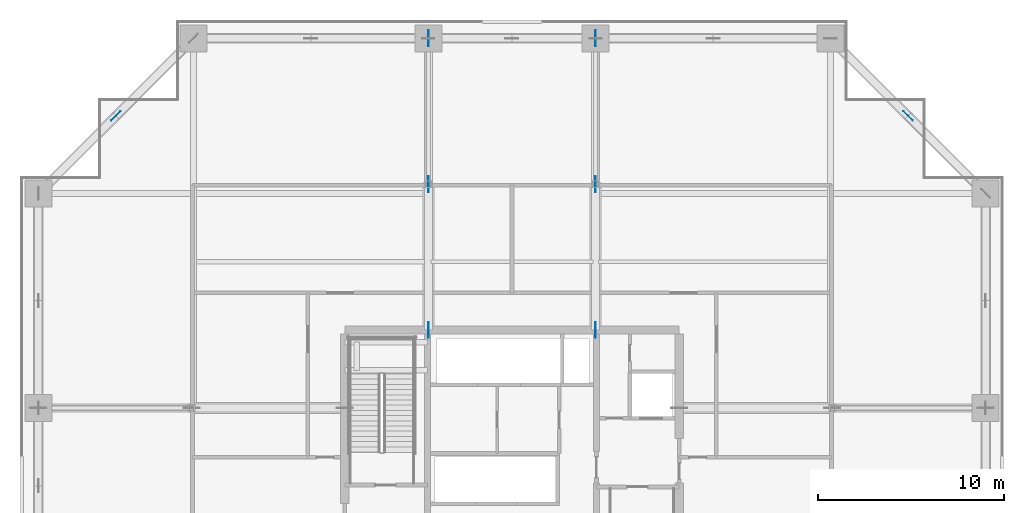
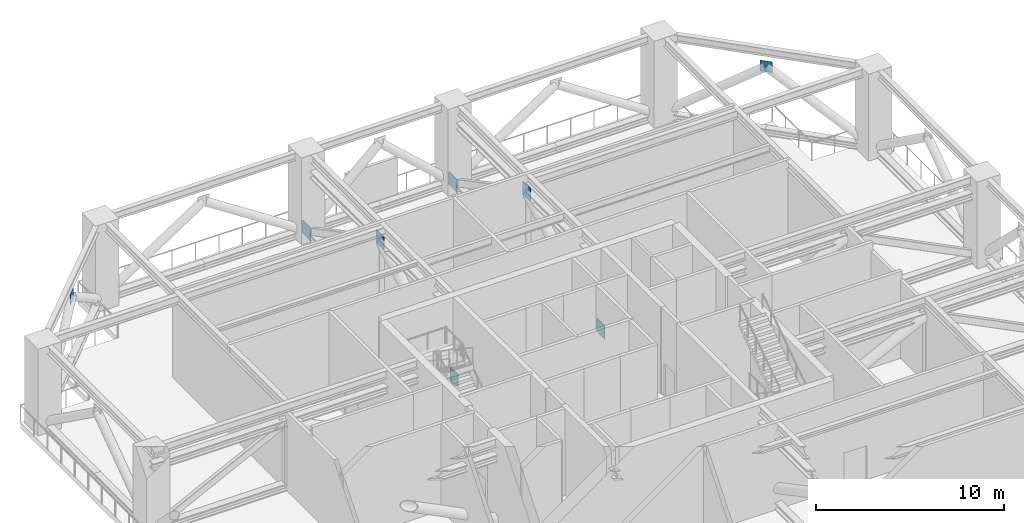
# One storey, part 9 of 21: 8 plates.
"""IFC4 building model written with IfcOpenShell, lengths in metres."""

from ifc_helpers import new_model, si_unit, direction, frame, origin, origin_2d, place, context, subcontext, project, spatial, rectangle, extrude, source, transform, mapped, material, layer, layer_set, type_object, element, save


model = new_model("IFC4")

# Units and contexts
model_context = context("Model", 3, precision=1e-05, world=origin(), true_north=direction((0.0, 1.0)))
body_context = subcontext(model_context, "Body", "Model", "MODEL_VIEW")
ifc_project = project(units=[si_unit("LENGTHUNIT", "METRE"), si_unit("AREAUNIT", "SQUARE_METRE"), si_unit("VOLUMEUNIT", "CUBIC_METRE"), si_unit("PLANEANGLEUNIT", "RADIAN"), si_unit("MASSUNIT", "GRAM", prefix="KILO")], contexts=[model_context])

# Site, building, storey
site_placement = place(None, origin())
site = spatial("IfcSite", under=ifc_project, at=site_placement, CompositionType="ELEMENT")
building_placement = place(site_placement, origin())
building = spatial("IfcBuilding", under=site, at=building_placement, Name="Serunith Strait Residences", CompositionType="ELEMENT")
storey_placement = place(building_placement, frame((0.0, 0.0, 109.199951171875)))
storey = spatial("IfcBuildingStorey", under=building, at=storey_placement, Name="L27", CompositionType="ELEMENT", Elevation=109.199951171875)

# Plates
ifc_material = material(Name="Steel S460M", Category="steel")
ifc_layer_1 = layer(ifc_material, 0.0400390625, Name="Steel S460M")
ifc_layer_set_1 = layer_set([ifc_layer_1], Name="Steel S460M")
plate_type_1 = type_object("IfcPlateType", Name="PLT-GUSSET-40", PredefinedType="USERDEFINED", material=ifc_layer_set_1)
shared_shape_1 = source(origin(), body_context, "Body", "SweptSolid", [
    extrude(rectangle(XDim=0.85009765625, YDim=0.0400390625, at=origin_2d()), origin(), (0.0, 0.0, 1.0), 0.85009765625),
])
for number, where, z_axis, x_axis, name in (
    (1, (27.89990234375, 33.60009765625, -0.175048828125), (0.0, 0.0, 1.0), (0.0, 1.0, 0.0), "L27 Outrigger Gusset Plate ND-01"),
    (2, (27.89990234375, 41.449951171875, 3.965087890625), (0.0, 0.0, 1.0), (0.0, 1.0, 0.0), "L27 Outrigger Gusset Plate ND-01"),
    (3, (27.89990234375, 49.300048828125, -0.175048828125), (0.0, 0.0, 1.0), (0.0, 1.0, 0.0), "L27 Outrigger Gusset Plate ND-01"),
    (4, (36.89990234375, 33.60009765625, -0.175048828125), (0.0, 0.0, 1.0), (0.0, 1.0, 0.0), "L27 Outrigger Gusset Plate ND-01"),
    (5, (36.89990234375, 41.449951171875, 3.965087890625), (0.0, 0.0, 1.0), (0.0, 1.0, 0.0), "L27 Outrigger Gusset Plate ND-01"),
    (6, (36.89990234375, 49.300048828125, -0.175048828125), (0.0, 0.0, 1.0), (0.0, 1.0, 0.0), "L27 Outrigger Gusset Plate ND-01"),
):
    element("IfcPlate", number, at=place(storey_placement, frame(where, z_axis=z_axis, x_axis=x_axis)), inside=storey, type_object=plate_type_1, Name=name, ObjectType="GUSSET_PLATE", PredefinedType="USERDEFINED", context=body_context, shape_type="MappedRepresentation", body=[
        mapped(shared_shape_1, transform((0.0, 0.0, 0.0), scale=1.0)),
    ])
ifc_layer_2 = layer(ifc_material, 0.02490234375, Name="Steel S460M")
ifc_layer_set_2 = layer_set([ifc_layer_2], Name="Steel S460M")
plate_type_2 = type_object("IfcPlateType", Name="PLT-CAP-25", PredefinedType="SHEET", material=ifc_layer_set_2)
shared_shape_2 = source(origin(), body_context, "Body", "SweptSolid", [
    extrude(rectangle(XDim=0.699951171875, YDim=0.02490234375, at=origin_2d()), origin(), (0.0, 0.0, 1.0), 0.699951171875),
])
for number, where, z_axis, x_axis, name in (
    (7, (53.72509765625, 45.125, 4.0400390625), (0.0, 0.0, 1.0), (-0.707106781187, 0.707106781187, 0.0), "L27 Belt Truss Apex Gusset 08"),
    (8, (11.074951171875, 45.125, 4.0400390625), (0.0, 0.0, 1.0), (-0.707106781187, -0.707106781187, 0.0), "L27 Belt Truss Apex Gusset 12"),
):
    element("IfcPlate", number, at=place(storey_placement, frame(where, z_axis=z_axis, x_axis=x_axis)), inside=storey, type_object=plate_type_2, Name=name, PredefinedType="SHEET", context=body_context, shape_type="MappedRepresentation", body=[
        mapped(shared_shape_2, transform((0.0, 0.0, 0.0), scale=1.0)),
    ])

save(model, "model.ifc")
